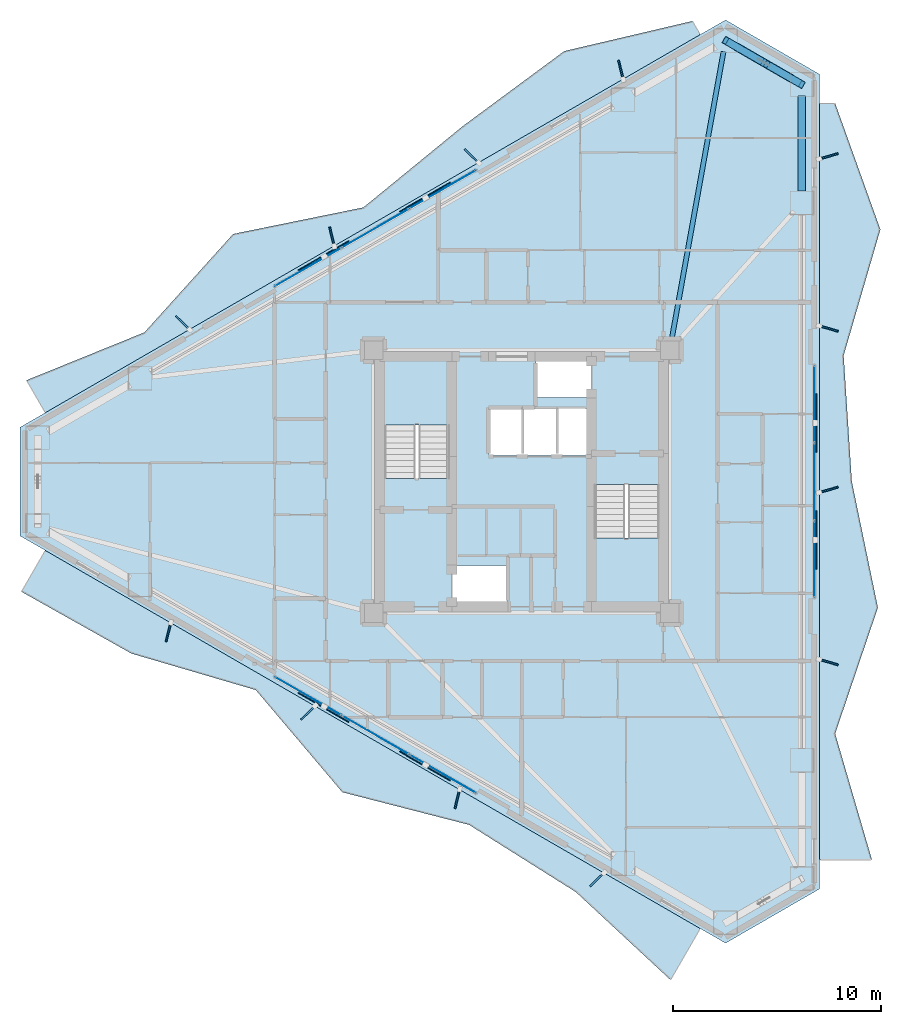
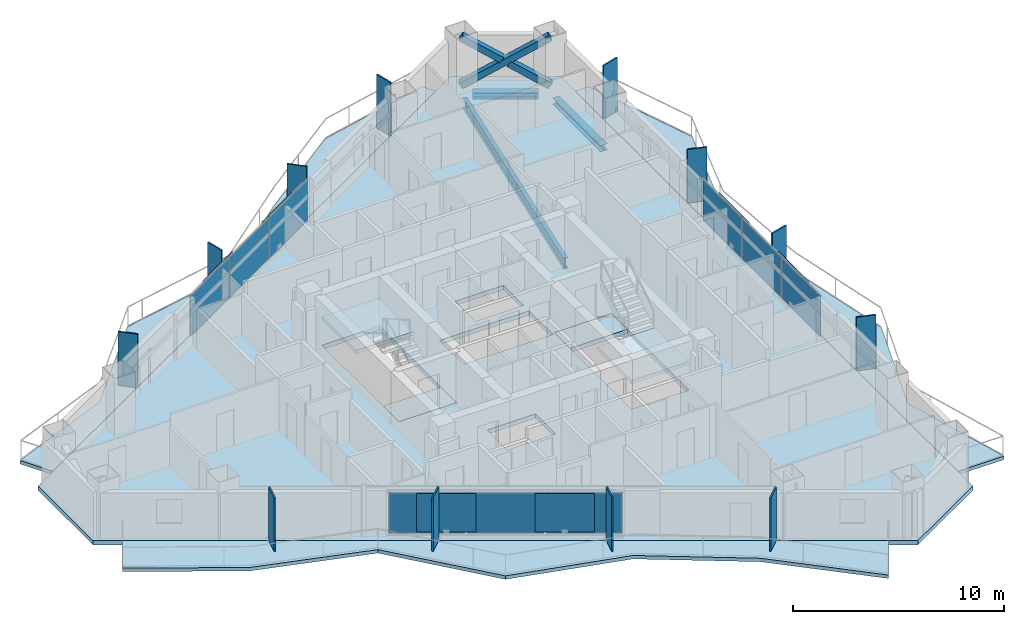
# One storey, part 14 of 22: 27 plates, 8 slabs, 3 beams, 3 members, 5 elements without a shape of their own.
"""IFC4 building model written with IfcOpenShell, lengths in metres."""

from ifc_helpers import new_model, si_unit, direction, frame, origin, origin_2d, place, context, subcontext, project, spatial, polyline, rectangle, hollow_rectangle, i_section, outline, extrude, material, layer, layer_set, material_profile, profile_set, type_object, element, aggregate, save


model = new_model("IFC4")

# Units and contexts
model_context = context("Model", 3, precision=1e-05, world=origin(), true_north=direction((0.0, 1.0)))
body_context = subcontext(model_context, "Body", "Model", "MODEL_VIEW")
ifc_project = project(units=[si_unit("LENGTHUNIT", "METRE"), si_unit("AREAUNIT", "SQUARE_METRE"), si_unit("VOLUMEUNIT", "CUBIC_METRE"), si_unit("PLANEANGLEUNIT", "RADIAN"), si_unit("MASSUNIT", "GRAM", prefix="KILO")], contexts=[model_context])

# Site, building, storey
site_placement = place(None, origin())
site = spatial("IfcSite", under=ifc_project, at=site_placement, CompositionType="ELEMENT")
building_placement = place(site_placement, origin())
building = spatial("IfcBuilding", under=site, at=building_placement, Name="Mersakhor Tower and Convention Hall", CompositionType="ELEMENT")
storey_placement = place(building_placement, frame((0.0, 0.0, 76.800048828125)))
storey = spatial("IfcBuildingStorey", under=building, at=storey_placement, Name="L20", CompositionType="ELEMENT", Elevation=76.800048828125)

# Beams
ifc_material_1 = material(Name="Steel S355", Category="steel")
ifc_material_profile_1 = material_profile(ifc_material_1, i_section(OverallWidth=0.22900390625, OverallDepth=0.6123046875, WebThickness=0.011962890625, FlangeThickness=0.01953125, at=origin_2d()), Name="UB 610x229x125")
ifc_profile_set_1 = profile_set([ifc_material_profile_1], Name="Steel S355")
beam_type_1 = type_object("IfcBeamType", Name="BM-PR-610", PredefinedType="BEAM", material=ifc_profile_set_1)
beam_1_placement = place(storey_placement, frame((36.17626953125, 33.47314453125, -0.55615234375), z_axis=(0.177414716723, 0.984136178732, 0.0), x_axis=(-0.984136178732, 0.177414716723, 0.0)))
element("IfcBeam", 1, at=beam_1_placement, inside=storey, type_object=beam_type_1, Name="L20 Primary Floor Girder FG-2", PredefinedType="BEAM", context=body_context, shape_type="SweptSolid", body=[
    extrude(i_section(OverallWidth=0.22900390625, OverallDepth=0.6123046875, WebThickness=0.011962890625, FlangeThickness=0.01953125, at=origin_2d()), origin(), (0.0, 0.0, 1.0), 14.11328125),
])
ifc_material_2 = material(Name="Steel S355", Category="steel")
ifc_material_profile_2 = material_profile(ifc_material_2, i_section(OverallWidth=0.374755859375, OverallDepth=0.37451171875, WebThickness=0.0166015625, FlangeThickness=0.027099609375, at=origin_2d()), Name="UC 356x368x202")
ifc_profile_set_2 = profile_set([ifc_material_profile_2], Name="Steel S355")
beam_type_2 = type_object("IfcBeamType", Name="BM-SPD-UC356", PredefinedType="SPANDREL", material=ifc_profile_set_2)
beam_2_placement = place(storey_placement, frame((39.25927734375, 47.631103515625, -0.437255859375), z_axis=(0.866052319632, -0.499953377486, 0.0), x_axis=(0.499953377486, 0.866052319632, 0.0)))
element("IfcBeam", 2, at=beam_2_placement, inside=storey, type_object=beam_type_2, Name="L20 Perimeter Spandrel Beam SPB-04", PredefinedType="SPANDREL", context=body_context, shape_type="SweptSolid", body=[
    extrude(i_section(OverallWidth=0.374755859375, OverallDepth=0.37451171875, WebThickness=0.0166015625, FlangeThickness=0.027099609375, at=origin_2d()), origin(), (0.0, 0.0, 1.0), 3.111572265625),
])
beam_3_placement = place(storey_placement, frame((42.4345703125, 45.242919921875, -0.437255859375), z_axis=(0.0, -1.0, 0.0), x_axis=(1.0, 0.0, 0.0)))
element("IfcBeam", 3, at=beam_3_placement, inside=storey, type_object=beam_type_2, Name="L20 Perimeter Spandrel Beam SPB-05", PredefinedType="SPANDREL", context=body_context, shape_type="SweptSolid", body=[
    extrude(i_section(OverallWidth=0.374755859375, OverallDepth=0.37451171875, WebThickness=0.0166015625, FlangeThickness=0.027099609375, at=origin_2d()), origin(), (0.0, 0.0, 1.0), 4.566162109375),
])

# Members
ifc_material_3 = material(Name="Steel S460", Category="steel")
ifc_material_profile_3 = material_profile(ifc_material_3, hollow_rectangle(XDim=0.35009765625, YDim=0.35009765625, WallThickness=0.02001953125, at=origin_2d()), Name="SHS 350x350x20")
ifc_profile_set_3 = profile_set([ifc_material_profile_3], Name="Steel S460")
member_type = type_object("IfcMemberType", Name="MB-BRC-SHS350", PredefinedType="BRACE", material=ifc_profile_set_3)
member_1_placement = place(storey_placement, frame((38.77880859375, 47.90869140625, 0.14990234375), z_axis=(0.725633725484, -0.418933054415, 0.545848689986), x_axis=(0.49998946241, 0.866031487579, 0.0)))
element("IfcMember", 4, at=member_1_placement, inside=storey, type_object=member_type, Name="L20 Chamfer Braced Frame Diagonal CB-1A", PredefinedType="BRACE", context=body_context, shape_type="SweptSolid", body=[
    extrude(hollow_rectangle(XDim=0.35009765625, YDim=0.35009765625, WallThickness=0.02001953125, at=origin_2d()), origin(), (0.0, 0.0, 1.0), 5.0380859375),
])
member_2_placement = place(storey_placement, frame((42.4345703125, 45.798095703125, 0.14990234375), z_axis=(-0.725643177862, 0.418862922102, 0.545889943955), x_axis=(-0.499921796684, -0.866070549782, 0.0)))
element("IfcMember", 5, at=member_2_placement, inside=storey, type_object=member_type, Name="L20 Chamfer Braced Frame Diagonal CB-1B Lower Half", PredefinedType="BRACE", context=body_context, shape_type="SweptSolid", body=[
    extrude(hollow_rectangle(XDim=0.35009765625, YDim=0.35009765625, WallThickness=0.02001953125, at=origin_2d()), origin(), (0.0, 0.0, 1.0), 2.31982421875),
])
member_3_placement = place(storey_placement, frame((40.4619140625, 46.93701171875, 1.6337890625), z_axis=(-0.725635037856, 0.418918980369, 0.545857746783), x_axis=(-0.499976186015, -0.866039152359, 0.0)))
element("IfcMember", 6, at=member_3_placement, inside=storey, type_object=member_type, Name="L20 Chamfer Braced Frame Diagonal CB-1B Upper Half", PredefinedType="BRACE", context=body_context, shape_type="SweptSolid", body=[
    extrude(hollow_rectangle(XDim=0.35009765625, YDim=0.35009765625, WallThickness=0.02001953125, at=origin_2d()), origin(), (0.0, 0.0, 1.0), 2.319580078125),
])

# Curtain wall, plates
ifc_material_4 = material(Name="Dark solar low-E aluminium curtain wall", Category="aluminium")
ifc_layer_1 = layer(ifc_material_4, 0.159912109375)
ifc_layer_set_1 = layer_set([ifc_layer_1], Name="Dark solar low-E aluminium curtain wall")
curtain_wall_type = type_object("IfcCurtainWallType", Name="CW-SYS-01", PredefinedType="USERDEFINED", material=ifc_layer_set_1)
curtain_wall_1_placement = place(storey_placement, origin())
curtain_wall_1 = element("IfcCurtainWall", 7, at=curtain_wall_1_placement, inside=storey, type_object=curtain_wall_type, Name="L20 Dark-Glass Curtain Wall F1-B2", ObjectType="CURTAIN WALL", PredefinedType="USERDEFINED")
ifc_material_5 = material(Name="Dark solar double glazing", Category="glass")
ifc_layer_2 = layer(ifc_material_5, 0.02392578125)
ifc_layer_set_2 = layer_set([ifc_layer_2], Name="Dark solar double glazing")
plate_type_1 = type_object("IfcPlateType", Name="CWP-GLZ-24", PredefinedType="CURTAIN_PANEL", material=ifc_layer_set_2)
plate_1_placement = place(storey_placement, frame((18.75732421875, 37.042236328125, 0.260009765625), z_axis=(0.0, 0.0, 1.0), x_axis=(0.866026613339, 0.499997904985, 0.0)))
plate_1 = element("IfcPlate", 8, at=plate_1_placement, type_object=plate_type_1, Name="CW-01 panel 1.1", PredefinedType="CURTAIN_PANEL", context=body_context, shape_type="SweptSolid", body=[
    extrude(rectangle(XDim=3.630615234375, YDim=0.02392578125, at=origin_2d()), origin(), (0.0, 0.0, 1.0), 2.35009765625),
])
plate_2_placement = place(storey_placement, frame((21.982666015625, 38.904296875, 0.260009765625), z_axis=(0.0, 0.0, 1.0), x_axis=(0.866026613339, 0.499997904985, 0.0)))
plate_2 = element("IfcPlate", 9, at=plate_2_placement, type_object=plate_type_1, Name="CW-01 panel 2.1", PredefinedType="CURTAIN_PANEL", context=body_context, shape_type="SweptSolid", body=[
    extrude(rectangle(XDim=3.668212890625, YDim=0.02392578125, at=origin_2d()), origin(), (0.0, 0.0, 1.0), 2.35009765625),
])
plate_3_placement = place(storey_placement, frame((25.2080078125, 40.7666015625, 0.260009765625), z_axis=(0.0, 0.0, 1.0), x_axis=(0.866026613339, 0.499997904985, 0.0)))
plate_3 = element("IfcPlate", 10, at=plate_3_placement, type_object=plate_type_1, Name="CW-01 panel 3.1", PredefinedType="CURTAIN_PANEL", context=body_context, shape_type="SweptSolid", body=[
    extrude(rectangle(XDim=3.630615234375, YDim=0.02392578125, at=origin_2d()), origin(), (0.0, 0.0, 1.0), 2.35009765625),
])
aggregate(curtain_wall_1, [plate_1, plate_2, plate_3])

curtain_wall_2_placement = place(storey_placement, origin())
curtain_wall_2 = element("IfcCurtainWall", 11, at=curtain_wall_2_placement, inside=storey, type_object=curtain_wall_type, Name="L20 Dark-Glass Curtain Wall F2-B2", ObjectType="CURTAIN WALL", PredefinedType="USERDEFINED")
plate_4_placement = place(storey_placement, frame((43.03466796875, 30.474365234375, 0.260009765625), z_axis=(0.0, 0.0, 1.0), x_axis=(0.0, -1.0, 0.0)))
plate_4 = element("IfcPlate", 12, at=plate_4_placement, type_object=plate_type_1, Name="CW-01 panel 1.1", PredefinedType="CURTAIN_PANEL", context=body_context, shape_type="SweptSolid", body=[
    extrude(rectangle(XDim=3.630615234375, YDim=0.02392578125, at=origin_2d()), origin(), (0.0, 0.0, 1.0), 2.35009765625),
])
plate_5_placement = place(storey_placement, frame((43.03466796875, 26.75, 0.260009765625), z_axis=(0.0, 0.0, 1.0), x_axis=(0.0, -1.0, 0.0)))
plate_5 = element("IfcPlate", 13, at=plate_5_placement, type_object=plate_type_1, Name="CW-01 panel 2.1", PredefinedType="CURTAIN_PANEL", context=body_context, shape_type="SweptSolid", body=[
    extrude(rectangle(XDim=3.668212890625, YDim=0.02392578125, at=origin_2d()), origin(), (0.0, 0.0, 1.0), 2.35009765625),
])
plate_6_placement = place(storey_placement, frame((43.03466796875, 23.025634765625, 0.260009765625), z_axis=(0.0, 0.0, 1.0), x_axis=(0.0, -1.0, 0.0)))
plate_6 = element("IfcPlate", 14, at=plate_6_placement, type_object=plate_type_1, Name="CW-01 panel 3.1", PredefinedType="CURTAIN_PANEL", context=body_context, shape_type="SweptSolid", body=[
    extrude(rectangle(XDim=3.630615234375, YDim=0.02392578125, at=origin_2d()), origin(), (0.0, 0.0, 1.0), 2.35009765625),
])
aggregate(curtain_wall_2, [plate_4, plate_5, plate_6])

curtain_wall_3_placement = place(storey_placement, origin())
curtain_wall_3 = element("IfcCurtainWall", 15, at=curtain_wall_3_placement, inside=storey, type_object=curtain_wall_type, Name="L20 Dark-Glass Curtain Wall F3-B2", ObjectType="CURTAIN WALL", PredefinedType="USERDEFINED")
plate_7_placement = place(storey_placement, frame((25.2080078125, 12.7333984375, 0.260009765625), z_axis=(0.0, 0.0, 1.0), x_axis=(-0.866026613339, 0.499997904985, 0.0)))
plate_7 = element("IfcPlate", 16, at=plate_7_placement, type_object=plate_type_1, Name="CW-01 panel 1.1", PredefinedType="CURTAIN_PANEL", context=body_context, shape_type="SweptSolid", body=[
    extrude(rectangle(XDim=3.630615234375, YDim=0.02392578125, at=origin_2d()), origin(), (0.0, 0.0, 1.0), 2.35009765625),
])
plate_8_placement = place(storey_placement, frame((21.982666015625, 14.595703125, 0.260009765625), z_axis=(0.0, 0.0, 1.0), x_axis=(-0.866026613339, 0.499997904985, 0.0)))
plate_8 = element("IfcPlate", 17, at=plate_8_placement, type_object=plate_type_1, Name="CW-01 panel 2.1", PredefinedType="CURTAIN_PANEL", context=body_context, shape_type="SweptSolid", body=[
    extrude(rectangle(XDim=3.668212890625, YDim=0.02392578125, at=origin_2d()), origin(), (0.0, 0.0, 1.0), 2.35009765625),
])
plate_9_placement = place(storey_placement, frame((18.75732421875, 16.457763671875, 0.260009765625), z_axis=(0.0, 0.0, 1.0), x_axis=(-0.866026613339, 0.499997904985, 0.0)))
plate_9 = element("IfcPlate", 18, at=plate_9_placement, type_object=plate_type_1, Name="CW-01 panel 3.1", PredefinedType="CURTAIN_PANEL", context=body_context, shape_type="SweptSolid", body=[
    extrude(rectangle(XDim=3.630615234375, YDim=0.02392578125, at=origin_2d()), origin(), (0.0, 0.0, 1.0), 2.35009765625),
])
aggregate(curtain_wall_3, [plate_7, plate_8, plate_9])

# Plates
ifc_material_6 = material(Name="Ceramic-clad aluminium Zone 2 emerald-teal", Category="aluminium")
ifc_material_7 = material(Name="Ceramic-clad aluminium Zone 1 cobalt-slate", Category="masonry")
ifc_layer_3 = layer(ifc_material_7, 0.080078125)
ifc_layer_set_3 = layer_set([ifc_layer_3], Name="Ceramic-clad aluminium Zone 1 cobalt-slate")
plate_type_2 = type_object("IfcPlateType", Name="PL-FIN-80", PredefinedType="USERDEFINED", material=ifc_layer_set_3)
for number, where, z_axis, x_axis, name in (
    (19, (12.74560546875, 34.364013671875, 0.0), (0.0, 0.0, 1.0), (-0.719339800339, 0.694658370459, 0.0), "L20 Zone 2 Coloured Brise-Soleil Fin F1-1"),
    (20, (19.900634765625, 38.4951171875, 0.0), (0.0, 0.0, 1.0), (-0.2419218956, 0.970295726276, 0.0), "L20 Zone 2 Coloured Brise-Soleil Fin F1-2"),
    (21, (26.60205078125, 42.364013671875, 0.0), (0.0, 0.0, 1.0), (-0.719339800339, 0.694658370459, 0.0), "L20 Zone 2 Coloured Brise-Soleil Fin F1-3"),
    (22, (33.757080078125, 46.4951171875, 0.0), (0.0, 0.0, 1.0), (-0.2419218956, 0.970295726276, 0.0), "L20 Zone 2 Coloured Brise-Soleil Fin F1-4"),
    (23, (43.72119140625, 42.35302734375, 0.0), (0.0, 0.0, 1.0), (0.961261695938, 0.275637355817, 0.0), "L20 Zone 2 Coloured Brise-Soleil Fin F2-1"),
    (24, (43.72119140625, 34.091064453125, 0.0), (0.0, 0.0, 1.0), (0.961261695938, -0.275637355817, 0.0), "L20 Zone 2 Coloured Brise-Soleil Fin F2-2"),
    (25, (43.72119140625, 26.35302734375, 0.0), (0.0, 0.0, 1.0), (0.961261695938, 0.275637355817, 0.0), "L20 Zone 2 Coloured Brise-Soleil Fin F2-3"),
    (26, (43.72119140625, 18.091064453125, 0.0), (0.0, 0.0, 1.0), (0.961261695938, -0.275637355817, 0.0), "L20 Zone 2 Coloured Brise-Soleil Fin F2-4"),
    (27, (32.61572265625, 7.663818359375, 0.0), (0.0, 0.0, 1.0), (-0.719339800339, -0.694658370459, 0.0), "L20 Zone 2 Coloured Brise-Soleil Fin F3-1"),
    (28, (25.914306640625, 11.532958984375, 0.0), (0.0, 0.0, 1.0), (-0.2419218956, -0.970295726276, 0.0), "L20 Zone 2 Coloured Brise-Soleil Fin F3-2"),
    (29, (18.759521484375, 15.663818359375, 0.0), (0.0, 0.0, 1.0), (-0.719339800339, -0.694658370459, 0.0), "L20 Zone 2 Coloured Brise-Soleil Fin F3-3"),
    (30, (12.057861328125, 19.532958984375, 0.0), (0.0, 0.0, 1.0), (-0.2419218956, -0.970295726276, 0.0), "L20 Zone 2 Coloured Brise-Soleil Fin F3-4"),
):
    element("IfcPlate", number, at=place(storey_placement, frame(where, z_axis=z_axis, x_axis=x_axis)), inside=storey, type_object=plate_type_2, material=ifc_material_6, Name=name, ObjectType="FIN", PredefinedType="USERDEFINED", context=body_context, shape_type="SweptSolid", body=[
        extrude(rectangle(XDim=0.949951171875, YDim=0.080078125, at=origin_2d()), origin(), (0.0, 0.0, 1.0), 3.10009765625),
    ])
ifc_material_8 = material(Name="Perforated ceramic cobogo solar screen", Category="aluminium")
ifc_layer_4 = layer(ifc_material_8, 0.048095703125)
ifc_layer_set_4 = layer_set([ifc_layer_4], Name="Perforated ceramic cobogo solar screen")
plate_type_3 = type_object("IfcPlateType", Name="PL-SCR-48", PredefinedType="USERDEFINED", material=ifc_layer_set_4)
for number, where, z_axis, x_axis, name in (
    (31, (19.50439453125, 37.58203125, 0.39990234375), (0.0, 0.0, 1.0), (0.866025403784, 0.5, 0.0), "L20 Perforated Ceramic Solar Screen F1-1"),
    (32, (24.366943359375, 40.389404296875, 0.39990234375), (0.0, 0.0, 1.0), (0.866025403784, 0.5, 0.0), "L20 Perforated Ceramic Solar Screen F1-2"),
    (33, (43.128662109375, 29.557373046875, 0.39990234375), (0.0, 0.0, 1.0), (0.0, -1.0, 0.0), "L20 Perforated Ceramic Solar Screen F2-1"),
    (34, (43.128662109375, 23.942626953125, 0.39990234375), (0.0, 0.0, 1.0), (0.0, -1.0, 0.0), "L20 Perforated Ceramic Solar Screen F2-2"),
    (35, (24.366943359375, 13.110595703125, 0.39990234375), (0.0, 0.0, 1.0), (-0.866025403784, 0.5, 0.0), "L20 Perforated Ceramic Solar Screen F3-1"),
    (36, (19.50439453125, 15.91796875, 0.39990234375), (0.0, 0.0, 1.0), (-0.866025403784, 0.5, 0.0), "L20 Perforated Ceramic Solar Screen F3-2"),
):
    element("IfcPlate", number, at=place(storey_placement, frame(where, z_axis=z_axis, x_axis=x_axis)), inside=storey, type_object=plate_type_3, Name=name, ObjectType="SCREEN", PredefinedType="USERDEFINED", context=body_context, shape_type="SweptSolid", body=[
        extrude(rectangle(XDim=2.800048828125, YDim=0.048095703125, at=origin_2d()), origin(), (0.0, 0.0, 1.0), 2.219970703125),
    ])

# Slabs
ifc_material_9 = material(Name="Concrete C45/55", Category="concrete")
ifc_layer_5 = layer(ifc_material_9, 0.199951171875)
ifc_layer_set_5 = layer_set([ifc_layer_5], Name="Concrete C45/55")
slab_type_1 = type_object("IfcSlabType", Name="SL-BAL-200", PredefinedType="FLOOR", material=ifc_layer_set_5)
slab_1_placement = place(storey_placement, frame((0.0, 0.0, -0.199951171875)))
element("IfcSlab", 37, at=slab_1_placement, inside=storey, type_object=slab_type_1, Name="L20 Sinusoidal Balcony Slab Face 1", PredefinedType="FLOOR", context=body_context, shape_type="SweptSolid", body=[
    extrude(outline(polyline([(6.149169921875, 30.051513671875), (37.56640625, 48.190185546875), (37.19140625, 48.839599609375), (31.042724609375, 47.396728515625), (26.14990234375, 43.77880859375), (21.408203125, 39.8994140625), (15.16162109375, 38.62646484375), (10.9052734375, 33.906005859375), (5.2490234375, 31.6103515625), (6.149169921875, 30.051513671875)])), origin(), (0.0, 0.0, 1.0), 0.199951171875),
])
slab_2_placement = place(storey_placement, frame((0.0, 0.0, -0.199951171875)))
element("IfcSlab", 38, at=slab_2_placement, inside=storey, type_object=slab_type_1, Name="L20 Sinusoidal Balcony Slab Face 2", PredefinedType="FLOOR", context=body_context, shape_type="SweptSolid", body=[
    extrude(outline(polyline([(43.28466796875, 44.888671875), (43.28466796875, 8.611328125), (45.7998046875, 8.611328125), (44.03466796875, 14.657470703125), (46.085693359375, 20.703857421875), (44.83544921875, 26.75), (44.44189453125, 32.796142578125), (46.20458984375, 38.842529296875), (44.03662109375, 44.888671875), (43.28466796875, 44.888671875)])), origin(), (0.0, 0.0, 1.0), 0.199951171875),
])
slab_3_placement = place(storey_placement, frame((0.0, 0.0, -0.199951171875)))
element("IfcSlab", 39, at=slab_3_placement, inside=storey, type_object=slab_type_1, Name="L20 Sinusoidal Balcony Slab Face 3", PredefinedType="FLOOR", context=body_context, shape_type="SweptSolid", body=[
    extrude(outline(polyline([(37.56640625, 5.309814453125), (6.149169921875, 23.448486328125), (5.00537109375, 21.467529296875), (10.2763671875, 18.504638671875), (16.24658203125, 16.752685546875), (20.397705078125, 11.850341796875), (26.477294921875, 10.287841796875), (31.59716796875, 7.063720703125), (36.142333984375, 2.843505859375), (37.56640625, 5.309814453125)])), origin(), (0.0, 0.0, 1.0), 0.199951171875),
])
ifc_material_10 = material(Name="Concrete C40/50", Category="concrete")
ifc_layer_6 = layer(ifc_material_10, 0.25)
ifc_layer_set_6 = layer_set([ifc_layer_6], Name="Concrete C40/50")
slab_type_2 = type_object("IfcSlabType", Name="SL-FLR-250", PredefinedType="FLOOR", material=ifc_layer_set_6)
slab_4_placement = place(storey_placement, frame((0.0, 0.0, -0.25)))
element("IfcSlab", 40, at=slab_4_placement, inside=storey, type_object=slab_type_2, Name="L20 ST-1 Structural Stair Floor Landing", PredefinedType="LANDING", context=body_context, shape_type="SweptSolid", body=[
    extrude(outline(polyline([(25.550048828125, 25.39990234375), (25.550048828125, 26.89990234375), (22.39990234375, 26.89990234375), (22.39990234375, 25.39990234375), (25.550048828125, 25.39990234375)])), origin(), (0.0, 0.0, 1.0), 0.25),
])
slab_5_placement = place(storey_placement, frame((0.0, 0.0, -0.25)))
element("IfcSlab", 41, at=slab_5_placement, inside=storey, type_object=slab_type_2, Name="L20 ST-2 Structural Stair Floor Landing", PredefinedType="LANDING", context=body_context, shape_type="SweptSolid", body=[
    extrude(outline(polyline([(32.449951171875, 28.10009765625), (32.449951171875, 26.60009765625), (35.60009765625, 26.60009765625), (35.60009765625, 28.10009765625), (32.449951171875, 28.10009765625)])), origin(), (0.0, 0.0, 1.0), 0.25),
])
slab_6_placement = place(storey_placement, frame((0.0, 0.0, -0.25)))
element("IfcSlab", 42, at=slab_6_placement, inside=storey, type_object=slab_type_2, Name="Tower L20 Structural Floor Slab", PredefinedType="FLOOR", context=body_context, shape_type="SweptSolid", body=[
    extrude(outline(polyline([(4.936767578125, 29.3515625), (38.77880859375, 48.89013671875), (43.28466796875, 46.288818359375), (43.28466796875, 7.211181640625), (38.77880859375, 4.60986328125), (4.936767578125, 24.1484375), (4.936767578125, 29.3515625)]), holes=[polyline([(25.550048828125, 25.39990234375), (25.550048828125, 32.699951171875), (22.39990234375, 32.699951171875), (22.39990234375, 25.39990234375), (25.550048828125, 25.39990234375)]), polyline([(32.449951171875, 28.10009765625), (32.449951171875, 20.800048828125), (35.60009765625, 20.800048828125), (35.60009765625, 28.10009765625), (32.449951171875, 28.10009765625)]), polyline([(25.679931640625, 20.820068359375), (25.679931640625, 22.719970703125), (28.320068359375, 22.719970703125), (28.320068359375, 20.820068359375), (25.679931640625, 20.820068359375)]), polyline([(29.679931640625, 30.780029296875), (29.679931640625, 32.679931640625), (32.320068359375, 32.679931640625), (32.320068359375, 30.780029296875), (29.679931640625, 30.780029296875)]), polyline([(27.429931640625, 28.0), (27.429931640625, 30.25), (32.320068359375, 30.25), (32.320068359375, 28.0), (27.429931640625, 28.0)])]), origin(), (0.0, 0.0, 1.0), 0.25),
])

# Stair, slab
ifc_material_11 = material(Name="Concrete C45/55", Category="concrete")
stair_type = type_object("IfcStairType", Name="ST-TWR-20R", PredefinedType="HALF_TURN_STAIR", material=ifc_material_11)
stair_1_placement = place(storey_placement, origin())
stair_1 = element("IfcStair", 43, at=stair_1_placement, inside=storey, type_object=stair_type, Name="L20 Tower Protected Exit Stair ST-1", PredefinedType="HALF_TURN_STAIR")
ifc_material_12 = material(Name="Concrete C45/55", Category="concrete")
ifc_layer_7 = layer(ifc_material_12, 0.199951171875)
ifc_layer_set_7 = layer_set([ifc_layer_7], Name="Concrete C45/55")
slab_type_3 = type_object("IfcSlabType", Name="SL-LAND-200", PredefinedType="LANDING", material=ifc_layer_set_7)
slab_7_placement = place(storey_placement, frame((0.0, 0.0, 1.449951171875)))
slab_7 = element("IfcSlab", 44, at=slab_7_placement, type_object=slab_type_3, Name="ST-1 landing 1", PredefinedType="LANDING", context=body_context, shape_type="SweptSolid", body=[
    extrude(outline(polyline([(25.550048828125, 29.465087890625), (25.550048828125, 32.699951171875), (22.39990234375, 32.699951171875), (22.39990234375, 29.465087890625), (25.550048828125, 29.465087890625)])), origin(), (0.0, 0.0, 1.0), 0.199951171875),
])
aggregate(stair_1, [slab_7])

stair_2_placement = place(storey_placement, origin())
stair_2 = element("IfcStair", 45, at=stair_2_placement, inside=storey, type_object=stair_type, Name="L20 Tower Protected Exit Stair ST-2", PredefinedType="HALF_TURN_STAIR")
slab_8_placement = place(storey_placement, frame((0.0, 0.0, 1.449951171875)))
slab_8 = element("IfcSlab", 46, at=slab_8_placement, type_object=slab_type_3, Name="ST-2 landing 1", PredefinedType="LANDING", context=body_context, shape_type="SweptSolid", body=[
    extrude(outline(polyline([(32.449951171875, 24.034912109375), (32.449951171875, 20.800048828125), (35.60009765625, 20.800048828125), (35.60009765625, 24.034912109375), (32.449951171875, 24.034912109375)])), origin(), (0.0, 0.0, 1.0), 0.199951171875),
])
aggregate(stair_2, [slab_8])

save(model, "model.ifc")
